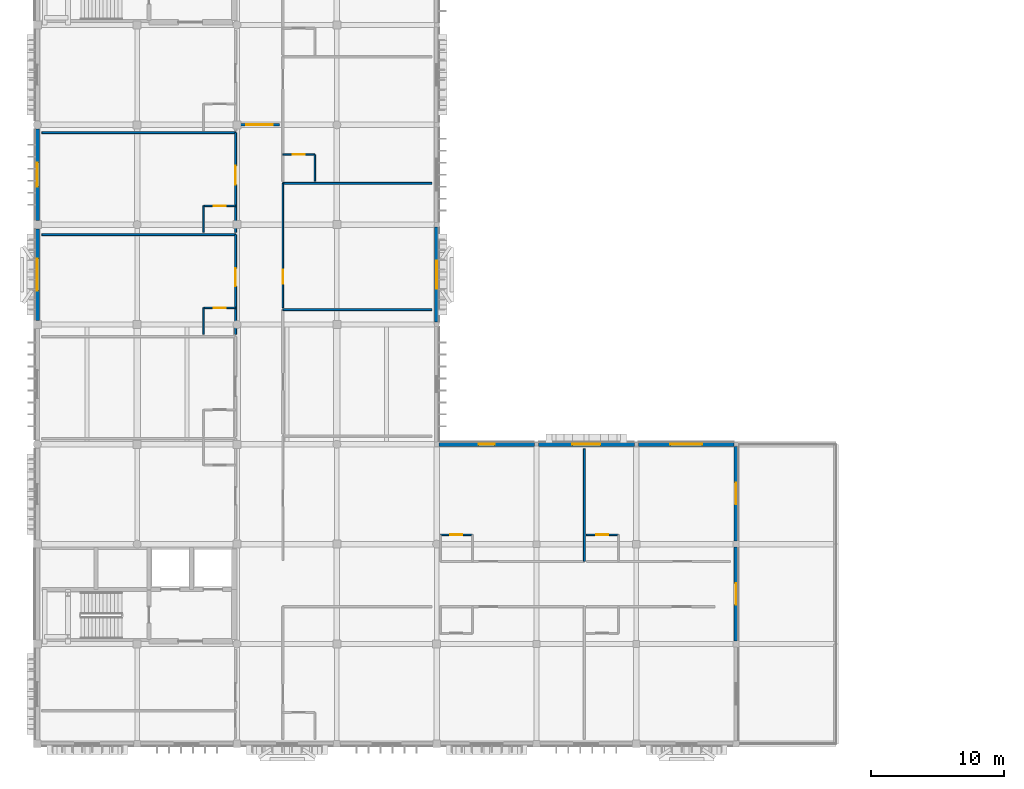
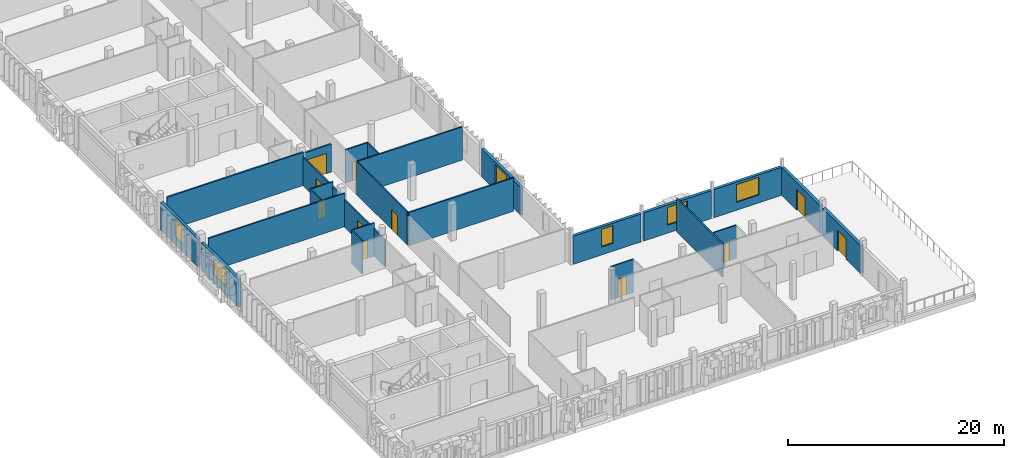
# One storey, part 12 of 33: 25 walls, 11 doors, 6 windows, 17 openings.
"""IFC4 building model written with IfcOpenShell, lengths in metres."""

from ifc_helpers import new_model, si_unit, direction, frame, frame_2d, origin, place, context, subcontext, project, spatial, rectangle, extrude, material, layer, layer_set, type_object, element, fill, save


model = new_model("IFC4")

# Units and contexts
model_context = context("Model", 3, precision=1e-05, world=origin(), true_north=direction((0.0, 1.0)))
body_context = subcontext(model_context, "Body", "Model", "MODEL_VIEW")
ifc_project = project(units=[si_unit("LENGTHUNIT", "METRE"), si_unit("AREAUNIT", "SQUARE_METRE"), si_unit("VOLUMEUNIT", "CUBIC_METRE"), si_unit("PLANEANGLEUNIT", "RADIAN"), si_unit("MASSUNIT", "GRAM", prefix="KILO")], contexts=[model_context])

# Site, building, storey
site_placement = place(None, origin())
site = spatial("IfcSite", under=ifc_project, at=site_placement, CompositionType="ELEMENT")
building_placement = place(site_placement, origin())
building = spatial("IfcBuilding", under=site, at=building_placement, Name="Dalvernix Boulevard General Hospital", CompositionType="ELEMENT")
storey_placement = place(building_placement, frame((0.0, 0.0, 21.89990234375)))
storey = spatial("IfcBuildingStorey", under=building, at=storey_placement, Name="L05", CompositionType="ELEMENT", Elevation=21.89990234375)

# Wall, opening, window
ifc_material_1 = material(Name="Pressed Catalan clay brick and ceramic spandrel wall C35/45", Category="masonry")
ifc_layer_1 = layer(ifc_material_1, 0.300048828125)
ifc_layer_set_1 = layer_set([ifc_layer_1], Name="Pressed Catalan clay brick and ceramic spandrel wall C35/45 (WAL-EW-02)")
wall_type_1 = type_object("IfcWallType", Name="WAL-EW-02", PredefinedType="STANDARD", material=ifc_layer_set_1)
wall_1_placement = place(storey_placement, frame((0.0, 31.81005859375, 0.0), z_axis=(0.0, 0.0, 1.0), x_axis=(0.0, 1.0, 0.0)))
wall_1 = element("IfcWall", 1, at=wall_1_placement, inside=storey, type_object=wall_type_1, Name="L05 Catalan brick external wall W 0-4", PredefinedType="STANDARD", context=body_context, shape_type="SweptSolid", body=[
    extrude(rectangle(XDim=6.8798828125, YDim=0.300048828125, at=frame_2d((3.43994140625, 0.0))), origin(), (0.0, 0.0, 1.0), 3.170166015625),
])
opening_1_placement = place(wall_1_placement, frame((2.239990234375, 0.0, 0.89990234375)))
opening_1 = element("IfcOpeningElement", 2, at=opening_1_placement, cuts=wall_1, Name="Opening WN-04", PredefinedType="OPENING", context=body_context, shape_type="SweptSolid", body=[
    extrude(rectangle(XDim=2.39990234375, YDim=1.989990234375, at=frame_2d((1.199951171875, 0.9951171875))), frame((0.0, 0.159912109375, 0.0), z_axis=(0.0, -1.0, 0.0), x_axis=(1.0, 0.0, 0.0)), (0.0, 0.0, 1.0), 0.320068359375),
])
ifc_material_2 = material(Name="Thermally broken aluminium frame with solar-control double glazing", Category="aluminium")
window_type_1 = type_object("IfcWindowType", Name="WIN-WN-04", PartitioningType="SINGLE_PANEL", PredefinedType="WINDOW", material=ifc_material_2)
window_1_placement = place(opening_1_placement, origin())
window_1 = element("IfcWindow", 3, at=window_1_placement, inside=storey, type_object=window_type_1, Name="L05 clinical window WN-04 W 0-4", OverallHeight=1.989990234375, OverallWidth=2.39990234375, PartitioningType="SINGLE_PANEL", PredefinedType="WINDOW", context=body_context, shape_type="SweptSolid", body=[
    extrude(rectangle(XDim=2.39990234375, YDim=1.989990234375, at=frame_2d((1.199951171875, 0.9951171875))), frame((0.0, 0.030029296875, 0.0), z_axis=(0.0, -1.0, 0.0), x_axis=(1.0, 0.0, 0.0)), (0.0, 0.0, 1.0), 0.06005859375),
])
fill(opening_1, window_1)

wall_2_placement = place(storey_placement, frame((0.0, 39.31005859375, 0.0), z_axis=(0.0, 0.0, 1.0), x_axis=(0.0, 1.0, 0.0)))
wall_2 = element("IfcWall", 4, at=wall_2_placement, inside=storey, type_object=wall_type_1, Name="L05 Catalan brick external wall W 0-5", PredefinedType="STANDARD", context=body_context, shape_type="SweptSolid", body=[
    extrude(rectangle(XDim=6.8798828125, YDim=0.300048828125, at=frame_2d((3.43994140625, 0.0))), origin(), (0.0, 0.0, 1.0), 3.170166015625),
])
opening_2_placement = place(wall_2_placement, frame((2.5400390625, 0.0, 0.89990234375)))
opening_2 = element("IfcOpeningElement", 5, at=opening_2_placement, cuts=wall_2, Name="Opening WN-05", PredefinedType="OPENING", context=body_context, shape_type="SweptSolid", body=[
    extrude(rectangle(XDim=1.800048828125, YDim=1.989990234375, at=frame_2d((0.89990234375, 0.9951171875))), frame((0.0, 0.159912109375, 0.0), z_axis=(0.0, -1.0, 0.0), x_axis=(1.0, 0.0, 0.0)), (0.0, 0.0, 1.0), 0.320068359375),
])
window_type_2 = type_object("IfcWindowType", Name="WIN-WN-05", PartitioningType="SINGLE_PANEL", PredefinedType="WINDOW", material=ifc_material_2)
window_2_placement = place(opening_2_placement, origin())
window_2 = element("IfcWindow", 6, at=window_2_placement, inside=storey, type_object=window_type_2, Name="L05 clinical window WN-05 W 0-5", OverallHeight=1.989990234375, OverallWidth=1.800048828125, PartitioningType="SINGLE_PANEL", PredefinedType="WINDOW", context=body_context, shape_type="SweptSolid", body=[
    extrude(rectangle(XDim=1.800048828125, YDim=1.989990234375, at=frame_2d((0.89990234375, 0.9951171875))), frame((0.0, 0.030029296875, 0.0), z_axis=(0.0, -1.0, 0.0), x_axis=(1.0, 0.0, 0.0)), (0.0, 0.0, 1.0), 0.06005859375),
])
fill(opening_2, window_2)

wall_3_placement = place(storey_placement, frame((30.0, 38.830078125, 0.0), z_axis=(0.0, 0.0, 1.0), x_axis=(0.0, -1.0, 0.0)))
wall_3 = element("IfcWall", 7, at=wall_3_placement, inside=storey, type_object=wall_type_1, Name="L05 Catalan brick external wall E 4-4", PredefinedType="STANDARD", context=body_context, shape_type="SweptSolid", body=[
    extrude(rectangle(XDim=7.16015625, YDim=0.300048828125, at=frame_2d((3.580078125, 0.0))), origin(), (0.0, 0.0, 1.0), 3.170166015625),
])
opening_3_placement = place(wall_3_placement, frame((2.530029296875, 0.0, 0.89990234375)))
opening_3 = element("IfcOpeningElement", 8, at=opening_3_placement, cuts=wall_3, Name="Opening WN-08", PredefinedType="OPENING", context=body_context, shape_type="SweptSolid", body=[
    extrude(rectangle(XDim=2.10009765625, YDim=1.989990234375, at=frame_2d((1.050048828125, 0.9951171875))), frame((0.0, 0.159912109375, 0.0), z_axis=(0.0, -1.0, 0.0), x_axis=(1.0, 0.0, 0.0)), (0.0, 0.0, 1.0), 0.320068359375),
])
window_type_3 = type_object("IfcWindowType", Name="WIN-WN-08", PartitioningType="SINGLE_PANEL", PredefinedType="WINDOW", material=ifc_material_2)
window_3_placement = place(opening_3_placement, origin())
window_3 = element("IfcWindow", 9, at=window_3_placement, inside=storey, type_object=window_type_3, Name="L05 clinical window WN-08 E 4-4", OverallHeight=1.989990234375, OverallWidth=2.10009765625, PartitioningType="SINGLE_PANEL", PredefinedType="WINDOW", context=body_context, shape_type="SweptSolid", body=[
    extrude(rectangle(XDim=2.10009765625, YDim=1.989990234375, at=frame_2d((1.050048828125, 0.9951171875))), frame((0.0, 0.030029296875, 0.0), z_axis=(0.0, -1.0, 0.0), x_axis=(1.0, 0.0, 0.0)), (0.0, 0.0, 1.0), 0.06005859375),
])
fill(opening_3, window_3)

wall_4_placement = place(storey_placement, frame((30.169921875, 22.5, 0.0), z_axis=(0.0, 0.0, 1.0), x_axis=(1.0, 0.0, 0.0)))
wall_4 = element("IfcWall", 10, at=wall_4_placement, inside=storey, type_object=wall_type_1, Name="L05 Catalan brick external wall N 4-3", PredefinedType="STANDARD", context=body_context, shape_type="SweptSolid", body=[
    extrude(rectangle(XDim=7.18017578125, YDim=0.300048828125, at=frame_2d((3.590087890625, 0.0))), origin(), (0.0, 0.0, 1.0), 3.170166015625),
])
opening_4_placement = place(wall_4_placement, frame((2.989990234375, 0.0, 0.89990234375)))
opening_4 = element("IfcOpeningElement", 11, at=opening_4_placement, cuts=wall_4, Name="Opening WN-07", PredefinedType="OPENING", context=body_context, shape_type="SweptSolid", body=[
    extrude(rectangle(XDim=1.199951171875, YDim=1.989990234375, at=frame_2d((0.60009765625, 0.9951171875))), frame((0.0, 0.159912109375, 0.0), z_axis=(0.0, -1.0, 0.0), x_axis=(1.0, 0.0, 0.0)), (0.0, 0.0, 1.0), 0.320068359375),
])
window_type_4 = type_object("IfcWindowType", Name="WIN-WN-07", PartitioningType="SINGLE_PANEL", PredefinedType="WINDOW", material=ifc_material_2)
window_4_placement = place(opening_4_placement, origin())
window_4 = element("IfcWindow", 12, at=window_4_placement, inside=storey, type_object=window_type_4, Name="L05 clinical window WN-07 N 4-3", OverallHeight=1.989990234375, OverallWidth=1.199951171875, PartitioningType="SINGLE_PANEL", PredefinedType="WINDOW", context=body_context, shape_type="SweptSolid", body=[
    extrude(rectangle(XDim=1.199951171875, YDim=1.989990234375, at=frame_2d((0.60009765625, 0.9951171875))), frame((0.0, 0.030029296875, 0.0), z_axis=(0.0, -1.0, 0.0), x_axis=(1.0, 0.0, 0.0)), (0.0, 0.0, 1.0), 0.06005859375),
])
fill(opening_4, window_4)

wall_5_placement = place(storey_placement, frame((37.64990234375, 22.5, 0.0), z_axis=(0.0, 0.0, 1.0), x_axis=(1.0, 0.0, 0.0)))
wall_5 = element("IfcWall", 13, at=wall_5_placement, inside=storey, type_object=wall_type_1, Name="L05 Catalan brick external wall N 5-3", PredefinedType="STANDARD", context=body_context, shape_type="SweptSolid", body=[
    extrude(rectangle(XDim=7.2001953125, YDim=0.300048828125, at=frame_2d((3.60009765625, 0.0))), origin(), (0.0, 0.0, 1.0), 3.170166015625),
])
opening_5_placement = place(wall_5_placement, frame((2.550048828125, 0.0, 0.89990234375)))
opening_5 = element("IfcOpeningElement", 14, at=opening_5_placement, cuts=wall_5, Name="Opening WN-08", PredefinedType="OPENING", context=body_context, shape_type="SweptSolid", body=[
    extrude(rectangle(XDim=2.10009765625, YDim=1.989990234375, at=frame_2d((1.050048828125, 0.9951171875))), frame((0.0, 0.159912109375, 0.0), z_axis=(0.0, -1.0, 0.0), x_axis=(1.0, 0.0, 0.0)), (0.0, 0.0, 1.0), 0.320068359375),
])
window_5_placement = place(opening_5_placement, origin())
window_5 = element("IfcWindow", 15, at=window_5_placement, inside=storey, type_object=window_type_3, Name="L05 clinical window WN-08 N 5-3", OverallHeight=1.989990234375, OverallWidth=2.10009765625, PartitioningType="SINGLE_PANEL", PredefinedType="WINDOW", context=body_context, shape_type="SweptSolid", body=[
    extrude(rectangle(XDim=2.10009765625, YDim=1.989990234375, at=frame_2d((1.050048828125, 0.9951171875))), frame((0.0, 0.030029296875, 0.0), z_axis=(0.0, -1.0, 0.0), x_axis=(1.0, 0.0, 0.0)), (0.0, 0.0, 1.0), 0.06005859375),
])
fill(opening_5, window_5)

# Wall, opening, door
wall_6_placement = place(storey_placement, frame((52.5, 14.764892578125, 0.0), z_axis=(0.0, 0.0, 1.0), x_axis=(0.0, -1.0, 0.0)))
wall_6 = element("IfcWall", 16, at=wall_6_placement, inside=storey, type_object=wall_type_1, Name="L05 Catalan brick external wall E 7-1", PredefinedType="STANDARD", context=body_context, shape_type="SweptSolid", body=[
    extrude(rectangle(XDim=7.02978515625, YDim=0.300048828125, at=frame_2d((3.514892578125, 0.0))), origin(), (0.0, 0.0, 1.0), 3.170166015625),
])
opening_6_placement = place(wall_6_placement, frame((2.715087890625, 0.0, 0.0)))
opening_6 = element("IfcOpeningElement", 17, at=opening_6_placement, cuts=wall_6, Name="Opening TD-16", PredefinedType="OPENING", context=body_context, shape_type="SweptSolid", body=[
    extrude(rectangle(XDim=1.60009765625, YDim=2.35009765625, at=frame_2d((0.800048828125, 1.175048828125))), frame((0.0, 0.159912109375, 0.0), z_axis=(0.0, -1.0, 0.0), x_axis=(1.0, 0.0, 0.0)), (0.0, 0.0, 1.0), 0.320068359375),
])
ifc_material_3 = material(Name="Powder-coated aluminium and laminated safety glass", Category="aluminium")
door_type_1 = type_object("IfcDoorType", Name="DR-TD-16", OperationType="DOUBLE_DOOR_SINGLE_SWING", PredefinedType="DOOR", material=ifc_material_3)
door_1_placement = place(opening_6_placement, origin())
door_1 = element("IfcDoor", 18, at=door_1_placement, inside=storey, type_object=door_type_1, Name="L05 ward terrace access door E 7-1", OperationType="DOUBLE_DOOR_SINGLE_SWING", OverallHeight=2.35009765625, OverallWidth=1.60009765625, PredefinedType="DOOR", context=body_context, shape_type="SweptSolid", body=[
    extrude(rectangle(XDim=1.60009765625, YDim=2.35009765625, at=frame_2d((0.800048828125, 1.175048828125))), frame((0.0, 0.02490234375, 0.0), z_axis=(0.0, -1.0, 0.0), x_axis=(1.0, 0.0, 0.0)), (0.0, 0.0, 1.0), 0.050048828125),
])
fill(opening_6, door_1)

# Wall, opening, window
wall_7_placement = place(storey_placement, frame((45.14990234375, 22.5, 0.0), z_axis=(0.0, 0.0, 1.0), x_axis=(1.0, 0.0, 0.0)))
wall_7 = element("IfcWall", 19, at=wall_7_placement, inside=storey, type_object=wall_type_1, Name="L05 Catalan brick external wall N 6-3", PredefinedType="STANDARD", context=body_context, shape_type="SweptSolid", body=[
    extrude(rectangle(XDim=7.2001953125, YDim=0.300048828125, at=frame_2d((3.60009765625, 0.0))), origin(), (0.0, 0.0, 1.0), 3.170166015625),
])
opening_7_placement = place(wall_7_placement, frame((2.39990234375, 0.0, 0.89990234375)))
opening_7 = element("IfcOpeningElement", 20, at=opening_7_placement, cuts=wall_7, Name="Opening WN-09", PredefinedType="OPENING", context=body_context, shape_type="SweptSolid", body=[
    extrude(rectangle(XDim=2.39990234375, YDim=1.989990234375, at=frame_2d((1.199951171875, 0.9951171875))), frame((0.0, 0.159912109375, 0.0), z_axis=(0.0, -1.0, 0.0), x_axis=(1.0, 0.0, 0.0)), (0.0, 0.0, 1.0), 0.320068359375),
])
window_type_5 = type_object("IfcWindowType", Name="WIN-WN-09", PartitioningType="SINGLE_PANEL", PredefinedType="WINDOW", material=ifc_material_2)
window_6_placement = place(opening_7_placement, origin())
window_6 = element("IfcWindow", 21, at=window_6_placement, inside=storey, type_object=window_type_5, Name="L05 clinical window WN-09 N 6-3", OverallHeight=1.989990234375, OverallWidth=2.39990234375, PartitioningType="SINGLE_PANEL", PredefinedType="WINDOW", context=body_context, shape_type="SweptSolid", body=[
    extrude(rectangle(XDim=2.39990234375, YDim=1.989990234375, at=frame_2d((1.199951171875, 0.9951171875))), frame((0.0, 0.030029296875, 0.0), z_axis=(0.0, -1.0, 0.0), x_axis=(1.0, 0.0, 0.0)), (0.0, 0.0, 1.0), 0.06005859375),
])
fill(opening_7, window_6)

# Wall, opening, door
wall_8_placement = place(storey_placement, frame((52.5, 22.35009765625, 0.0), z_axis=(0.0, 0.0, 1.0), x_axis=(0.0, -1.0, 0.0)))
wall_8 = element("IfcWall", 22, at=wall_8_placement, inside=storey, type_object=wall_type_1, Name="L05 Catalan brick external wall E 7-2", PredefinedType="STANDARD", context=body_context, shape_type="SweptSolid", body=[
    extrude(rectangle(XDim=7.114990234375, YDim=0.300048828125, at=frame_2d((3.5576171875, 0.0))), origin(), (0.0, 0.0, 1.0), 3.170166015625),
])
opening_8_placement = place(wall_8_placement, frame((2.757568359375, 0.0, 0.0)))
opening_8 = element("IfcOpeningElement", 23, at=opening_8_placement, cuts=wall_8, Name="Opening TD-16", PredefinedType="OPENING", context=body_context, shape_type="SweptSolid", body=[
    extrude(rectangle(XDim=1.60009765625, YDim=2.35009765625, at=frame_2d((0.800048828125, 1.175048828125))), frame((0.0, 0.159912109375, 0.0), z_axis=(0.0, -1.0, 0.0), x_axis=(1.0, 0.0, 0.0)), (0.0, 0.0, 1.0), 0.320068359375),
])
door_2_placement = place(opening_8_placement, origin())
door_2 = element("IfcDoor", 24, at=door_2_placement, inside=storey, type_object=door_type_1, Name="L05 ward terrace access door E 7-2", OperationType="DOUBLE_DOOR_SINGLE_SWING", OverallHeight=2.35009765625, OverallWidth=1.60009765625, PredefinedType="DOOR", context=body_context, shape_type="SweptSolid", body=[
    extrude(rectangle(XDim=1.60009765625, YDim=2.35009765625, at=frame_2d((0.800048828125, 1.175048828125))), frame((0.0, 0.02490234375, 0.0), z_axis=(0.0, -1.0, 0.0), x_axis=(1.0, 0.0, 0.0)), (0.0, 0.0, 1.0), 0.050048828125),
])
fill(opening_8, door_2)

ifc_material_4 = material(Name="Fire-compartment corridor masonry wall", Category="masonry")
ifc_layer_2 = layer(ifc_material_4, 0.199951171875)
ifc_layer_set_2 = layer_set([ifc_layer_2], Name="Fire-compartment corridor masonry wall (WAL-IW-02)")
wall_type_2 = type_object("IfcWallType", Name="WAL-IW-02", PredefinedType="STANDARD", material=ifc_layer_set_2)
wall_9_placement = place(storey_placement, frame((15.199951171875, 46.5, 0.0), z_axis=(0.0, 0.0, 1.0), x_axis=(1.0, 0.0, 0.0)))
wall_9 = element("IfcWall", 25, at=wall_9_placement, inside=storey, type_object=wall_type_2, Name="L05 horizontal progressive evacuation compartment wall 6", PredefinedType="STANDARD", context=body_context, shape_type="SweptSolid", body=[
    extrude(rectangle(XDim=3.0, YDim=0.199951171875, at=frame_2d((1.5, 0.0))), origin(), (0.0, 0.0, 1.0), 3.155029296875),
])
opening_9_placement = place(wall_9_placement, frame((0.5, 0.0, 0.0)))
opening_9 = element("IfcOpeningElement", 26, at=opening_9_placement, cuts=wall_9, Name="Opening FD-03", PredefinedType="OPENING", context=body_context, shape_type="SweptSolid", body=[
    extrude(rectangle(XDim=2.0, YDim=2.300048828125, at=frame_2d((1.0, 1.14990234375))), frame((0.0, 0.10986328125, 0.0), z_axis=(0.0, -1.0, 0.0), x_axis=(1.0, 0.0, 0.0)), (0.0, 0.0, 1.0), 0.219970703125),
])
ifc_material_5 = material(Name="Hospital laminate acoustic timber and steel frame", Category="steel")
door_type_2 = type_object("IfcDoorType", Name="DR-FD-03", OperationType="DOUBLE_DOOR_SINGLE_SWING", PredefinedType="DOOR", material=ifc_material_5)
door_3_placement = place(opening_9_placement, origin())
door_3 = element("IfcDoor", 27, at=door_3_placement, inside=storey, type_object=door_type_2, Name="L05 horizontal compartment hold-open fire door 6", OperationType="DOUBLE_DOOR_SINGLE_SWING", OverallHeight=2.300048828125, OverallWidth=2.0, PredefinedType="DOOR", context=body_context, shape_type="SweptSolid", body=[
    extrude(rectangle(XDim=2.0, YDim=2.300048828125, at=frame_2d((1.0, 1.14990234375))), frame((0.0, 0.02490234375, 0.0), z_axis=(0.0, -1.0, 0.0), x_axis=(1.0, 0.0, 0.0)), (0.0, 0.0, 1.0), 0.050048828125),
])
fill(opening_9, door_3)

ifc_material_6 = material(Name="Acoustic double-stud gypsum inpatient partition")
ifc_layer_3 = layer(ifc_material_6, 0.14990234375)
ifc_layer_set_3 = layer_set([ifc_layer_3], Name="Acoustic double-stud gypsum inpatient partition (WAL-IW-04)")
wall_type_3 = type_object("IfcWallType", Name="WAL-IW-04", PredefinedType="PARTITIONING", material=ifc_layer_set_3)
wall_10_placement = place(storey_placement, frame((14.89990234375, 30.75, 0.0), z_axis=(0.0, 0.0, 1.0), x_axis=(0.0, 1.0, 0.0)))
wall_10 = element("IfcWall", 28, at=wall_10_placement, inside=storey, type_object=wall_type_3, Name="L05 Orthopaedic Single Patient Room L05-W04 corridor wall", PredefinedType="PARTITIONING", context=body_context, shape_type="SweptSolid", body=[
    extrude(rectangle(XDim=7.5, YDim=0.14990234375, at=frame_2d((3.75, 0.0))), origin(), (0.0, 0.0, 1.0), 3.05517578125),
])
opening_10_placement = place(wall_10_placement, frame((3.639892578125, 0.0, 0.0)))
opening_10 = element("IfcOpeningElement", 29, at=opening_10_placement, cuts=wall_10, Name="Opening ID-01", PredefinedType="OPENING", context=body_context, shape_type="SweptSolid", body=[
    extrude(rectangle(XDim=1.35009765625, YDim=2.25, at=frame_2d((0.675048828125, 1.125))), frame((0.0, 0.0849609375, 0.0), z_axis=(0.0, -1.0, 0.0), x_axis=(1.0, 0.0, 0.0)), (0.0, 0.0, 1.0), 0.169921875),
])
door_type_3 = type_object("IfcDoorType", Name="DR-ID-01", OperationType="NOTDEFINED", PredefinedType="DOOR", material=ifc_material_5)
door_4_placement = place(opening_10_placement, origin())
door_4 = element("IfcDoor", 30, at=door_4_placement, inside=storey, type_object=door_type_3, Name="L05 Orthopaedic Single Patient Room L05-W04 door", OperationType="SINGLE_SWING_RIGHT", OverallHeight=2.25, OverallWidth=1.35009765625, PredefinedType="DOOR", context=body_context, shape_type="SweptSolid", body=[
    extrude(rectangle(XDim=1.35009765625, YDim=2.25, at=frame_2d((0.675048828125, 1.125))), frame((0.0, 0.02490234375, 0.0), z_axis=(0.0, -1.0, 0.0), x_axis=(1.0, 0.0, 0.0)), (0.0, 0.0, 1.0), 0.050048828125),
])
fill(opening_10, door_4)

wall_11_placement = place(storey_placement, frame((14.89990234375, 38.409912109375, 0.0), z_axis=(0.0, 0.0, 1.0), x_axis=(0.0, 1.0, 0.0)))
wall_11 = element("IfcWall", 31, at=wall_11_placement, inside=storey, type_object=wall_type_3, Name="L05 Four Bed Surgical Recovery Ward L05-W05 corridor wall", PredefinedType="PARTITIONING", context=body_context, shape_type="SweptSolid", body=[
    extrude(rectangle(XDim=7.5, YDim=0.14990234375, at=frame_2d((3.75, 0.0))), origin(), (0.0, 0.0, 1.0), 3.205078125),
])
opening_11_placement = place(wall_11_placement, frame((3.580078125, 0.0, 0.0)))
opening_11 = element("IfcOpeningElement", 32, at=opening_11_placement, cuts=wall_11, Name="Opening ID-02", PredefinedType="OPENING", context=body_context, shape_type="SweptSolid", body=[
    extrude(rectangle(XDim=1.449951171875, YDim=2.300048828125, at=frame_2d((0.72509765625, 1.14990234375))), frame((0.0, 0.0849609375, 0.0), z_axis=(0.0, -1.0, 0.0), x_axis=(1.0, 0.0, 0.0)), (0.0, 0.0, 1.0), 0.169921875),
])
door_type_4 = type_object("IfcDoorType", Name="DR-ID-02", OperationType="NOTDEFINED", PredefinedType="DOOR", material=ifc_material_5)
door_5_placement = place(opening_11_placement, origin())
door_5 = element("IfcDoor", 33, at=door_5_placement, inside=storey, type_object=door_type_4, Name="L05 Four Bed Surgical Recovery Ward L05-W05 door", OperationType="SINGLE_SWING_RIGHT", OverallHeight=2.300048828125, OverallWidth=1.449951171875, PredefinedType="DOOR", context=body_context, shape_type="SweptSolid", body=[
    extrude(rectangle(XDim=1.449951171875, YDim=2.300048828125, at=frame_2d((0.72509765625, 1.14990234375))), frame((0.0, 0.02490234375, 0.0), z_axis=(0.0, -1.0, 0.0), x_axis=(1.0, 0.0, 0.0)), (0.0, 0.0, 1.0), 0.050048828125),
])
fill(opening_11, door_5)

# Walls
for number, where, z_axis, x_axis, name in (
    (34, (0.35009765625, 38.25, 0.0), (0.0, 0.0, 1.0), (1.0, 0.0, 0.0), "L05 Orthopaedic Single Patient Room L05-W04 partition"),
    (35, (0.35009765625, 45.909912109375, 0.0), (0.0, 0.0, 1.0), (1.0, 0.0, 0.0), "L05 Four Bed Surgical Recovery Ward L05-W05 partition"),
):
    element("IfcWall", number, at=place(storey_placement, frame(where, z_axis=z_axis, x_axis=x_axis)), inside=storey, type_object=wall_type_3, Name=name, PredefinedType="PARTITIONING", context=body_context, shape_type="SweptSolid", body=[
        extrude(rectangle(XDim=14.5498046875, YDim=0.14990234375, at=frame_2d((7.27490234375, 0.0))), origin(), (0.0, 0.0, 1.0), 3.755126953125),
    ])
for number, where, z_axis, x_axis, name in (
    (36, (18.449951171875, 32.607421875, 0.0), (0.0, 0.0, 1.0), (1.0, 0.0, 0.0), "L05 Clinical Treatment and Procedure Room L05 partition"),
    (37, (18.449951171875, 42.101318359375, 0.0), (0.0, 0.0, 1.0), (1.0, 0.0, 0.0), "L05 Patient and Family Day Lounge L05 partition"),
):
    element("IfcWall", number, at=place(storey_placement, frame(where, z_axis=z_axis, x_axis=x_axis)), inside=storey, type_object=wall_type_3, Name=name, PredefinedType="PARTITIONING", context=body_context, shape_type="SweptSolid", body=[
        extrude(rectangle(XDim=11.199951171875, YDim=0.14990234375, at=frame_2d((5.60009765625, 0.0))), origin(), (0.0, 0.0, 1.0), 3.755126953125),
    ])
wall_12_placement = place(storey_placement, frame((41.094970703125, 13.699951171875, 0.0), z_axis=(0.0, 0.0, 1.0), x_axis=(0.0, 1.0, 0.0)))
element("IfcWall", 38, at=wall_12_placement, inside=storey, type_object=wall_type_3, Name="L05 Isolation Patient Room L05-N1 partition", PredefinedType="PARTITIONING", context=body_context, shape_type="SweptSolid", body=[
    extrude(rectangle(XDim=8.449951171875, YDim=0.14990234375, at=frame_2d((4.22509765625, 0.0))), origin(), (0.0, 0.0, 1.0), 3.755126953125),
])

# Wall, opening, door
ifc_material_7 = material(Name="Moisture-resistant en-suite bathroom partition")
ifc_layer_4 = layer(ifc_material_7, 0.1201171875)
ifc_layer_set_4 = layer_set([ifc_layer_4], Name="Moisture-resistant en-suite bathroom partition (WAL-IW-05)")
wall_type_4 = type_object("IfcWallType", Name="WAL-IW-05", PredefinedType="PARTITIONING", material=ifc_layer_set_4)
wall_13_placement = place(storey_placement, frame((14.89990234375, 32.75, 0.0), z_axis=(0.0, 0.0, 1.0), x_axis=(-1.0, 0.0, 0.0)))
wall_13 = element("IfcWall", 39, at=wall_13_placement, inside=storey, type_object=wall_type_4, Name="L05 en-suite bathroom door wall", PredefinedType="PARTITIONING", context=body_context, shape_type="SweptSolid", body=[
    extrude(rectangle(XDim=2.39990234375, YDim=0.1201171875, at=frame_2d((1.199951171875, 0.0))), origin(), (0.0, 0.0, 1.0), 3.755126953125),
])
opening_12_placement = place(wall_13_placement, frame((0.75, 0.0, 0.0)))
opening_12 = element("IfcOpeningElement", 40, at=opening_12_placement, cuts=wall_13, Name="Opening ID-05", PredefinedType="OPENING", context=body_context, shape_type="SweptSolid", body=[
    extrude(rectangle(XDim=0.89990234375, YDim=2.10009765625, at=frame_2d((0.449951171875, 1.050048828125))), frame((0.0, 0.070068359375, 0.0), z_axis=(0.0, -1.0, 0.0), x_axis=(1.0, 0.0, 0.0)), (0.0, 0.0, 1.0), 0.14013671875),
])
door_type_5 = type_object("IfcDoorType", Name="DR-ID-05", OperationType="NOTDEFINED", PredefinedType="DOOR", material=ifc_material_5)
door_6_placement = place(opening_12_placement, origin())
door_6 = element("IfcDoor", 41, at=door_6_placement, inside=storey, type_object=door_type_5, Name="L05 L05-WRD-W04 en-suite bathroom door", OperationType="SINGLE_SWING_LEFT", OverallHeight=2.10009765625, OverallWidth=0.89990234375, PredefinedType="DOOR", context=body_context, shape_type="SweptSolid", body=[
    extrude(rectangle(XDim=0.89990234375, YDim=2.10009765625, at=frame_2d((0.449951171875, 1.050048828125))), frame((0.0, 0.02490234375, 0.0), z_axis=(0.0, -1.0, 0.0), x_axis=(1.0, 0.0, 0.0)), (0.0, 0.0, 1.0), 0.050048828125),
])
fill(opening_12, door_6)

# Wall
wall_14_placement = place(storey_placement, frame((12.5, 30.75, 0.0), z_axis=(0.0, 0.0, 1.0), x_axis=(0.0, 1.0, 0.0)))
element("IfcWall", 42, at=wall_14_placement, inside=storey, type_object=wall_type_4, Name="L05 en-suite bathroom side wall", PredefinedType="PARTITIONING", context=body_context, shape_type="SweptSolid", body=[
    extrude(rectangle(XDim=2.0, YDim=0.1201171875, at=frame_2d((1.0, 0.0))), origin(), (0.0, 0.0, 1.0), 3.755126953125),
])

# Wall, opening, door
wall_15_placement = place(storey_placement, frame((14.89990234375, 40.409912109375, 0.0), z_axis=(0.0, 0.0, 1.0), x_axis=(-1.0, 0.0, 0.0)))
wall_15 = element("IfcWall", 43, at=wall_15_placement, inside=storey, type_object=wall_type_4, Name="L05 en-suite bathroom door wall", PredefinedType="PARTITIONING", context=body_context, shape_type="SweptSolid", body=[
    extrude(rectangle(XDim=2.39990234375, YDim=0.1201171875, at=frame_2d((1.199951171875, 0.0))), origin(), (0.0, 0.0, 1.0), 3.755126953125),
])
opening_13_placement = place(wall_15_placement, frame((0.75, 0.0, 0.0)))
opening_13 = element("IfcOpeningElement", 44, at=opening_13_placement, cuts=wall_15, Name="Opening ID-05", PredefinedType="OPENING", context=body_context, shape_type="SweptSolid", body=[
    extrude(rectangle(XDim=0.89990234375, YDim=2.10009765625, at=frame_2d((0.449951171875, 1.050048828125))), frame((0.0, 0.070068359375, 0.0), z_axis=(0.0, -1.0, 0.0), x_axis=(1.0, 0.0, 0.0)), (0.0, 0.0, 1.0), 0.14013671875),
])
door_7_placement = place(opening_13_placement, origin())
door_7 = element("IfcDoor", 45, at=door_7_placement, inside=storey, type_object=door_type_5, Name="L05 L05-WRD-W05 en-suite bathroom door", OperationType="SINGLE_SWING_LEFT", OverallHeight=2.10009765625, OverallWidth=0.89990234375, PredefinedType="DOOR", context=body_context, shape_type="SweptSolid", body=[
    extrude(rectangle(XDim=0.89990234375, YDim=2.10009765625, at=frame_2d((0.449951171875, 1.050048828125))), frame((0.0, 0.02490234375, 0.0), z_axis=(0.0, -1.0, 0.0), x_axis=(1.0, 0.0, 0.0)), (0.0, 0.0, 1.0), 0.050048828125),
])
fill(opening_13, door_7)

# Wall
wall_16_placement = place(storey_placement, frame((12.5, 38.409912109375, 0.0), z_axis=(0.0, 0.0, 1.0), x_axis=(0.0, 1.0, 0.0)))
element("IfcWall", 46, at=wall_16_placement, inside=storey, type_object=wall_type_4, Name="L05 en-suite bathroom side wall", PredefinedType="PARTITIONING", context=body_context, shape_type="SweptSolid", body=[
    extrude(rectangle(XDim=2.0, YDim=0.1201171875, at=frame_2d((1.0, 0.0))), origin(), (0.0, 0.0, 1.0), 3.755126953125),
])

# Wall, opening, door
wall_17_placement = place(storey_placement, frame((20.85009765625, 44.26123046875, 0.0), z_axis=(0.0, 0.0, 1.0), x_axis=(-1.0, 0.0, 0.0)))
wall_17 = element("IfcWall", 47, at=wall_17_placement, inside=storey, type_object=wall_type_4, Name="L05 en-suite bathroom door wall", PredefinedType="PARTITIONING", context=body_context, shape_type="SweptSolid", body=[
    extrude(rectangle(XDim=2.400146484375, YDim=0.1201171875, at=frame_2d((1.2001953125, 0.0))), origin(), (0.0, 0.0, 1.0), 3.755126953125),
])
opening_14_placement = place(wall_17_placement, frame((0.75, 0.0, 0.0)))
opening_14 = element("IfcOpeningElement", 48, at=opening_14_placement, cuts=wall_17, Name="Opening ID-05", PredefinedType="OPENING", context=body_context, shape_type="SweptSolid", body=[
    extrude(rectangle(XDim=0.89990234375, YDim=2.10009765625, at=frame_2d((0.449951171875, 1.050048828125))), frame((0.0, 0.070068359375, 0.0), z_axis=(0.0, -1.0, 0.0), x_axis=(1.0, 0.0, 0.0)), (0.0, 0.0, 1.0), 0.14013671875),
])
door_8_placement = place(opening_14_placement, origin())
door_8 = element("IfcDoor", 49, at=door_8_placement, inside=storey, type_object=door_type_5, Name="L05 L05-RM-E03 en-suite bathroom door", OperationType="SINGLE_SWING_RIGHT", OverallHeight=2.10009765625, OverallWidth=0.89990234375, PredefinedType="DOOR", context=body_context, shape_type="SweptSolid", body=[
    extrude(rectangle(XDim=0.89990234375, YDim=2.10009765625, at=frame_2d((0.449951171875, 1.050048828125))), frame((0.0, 0.02490234375, 0.0), z_axis=(0.0, -1.0, 0.0), x_axis=(1.0, 0.0, 0.0)), (0.0, 0.0, 1.0), 0.050048828125),
])
fill(opening_14, door_8)

# Wall
wall_18_placement = place(storey_placement, frame((20.85009765625, 42.26123046875, 0.0), z_axis=(0.0, 0.0, 1.0), x_axis=(0.0, 1.0, 0.0)))
element("IfcWall", 50, at=wall_18_placement, inside=storey, type_object=wall_type_4, Name="L05 en-suite bathroom side wall", PredefinedType="PARTITIONING", context=body_context, shape_type="SweptSolid", body=[
    extrude(rectangle(XDim=2.0, YDim=0.1201171875, at=frame_2d((1.0, 0.0))), origin(), (0.0, 0.0, 1.0), 3.755126953125),
])

# Wall, opening, door
wall_19_placement = place(storey_placement, frame((32.679931640625, 15.699951171875, 0.0), z_axis=(0.0, 0.0, 1.0), x_axis=(-1.0, 0.0, 0.0)))
wall_19 = element("IfcWall", 51, at=wall_19_placement, inside=storey, type_object=wall_type_4, Name="L05 en-suite bathroom door wall", PredefinedType="PARTITIONING", context=body_context, shape_type="SweptSolid", body=[
    extrude(rectangle(XDim=2.39990234375, YDim=0.1201171875, at=frame_2d((1.199951171875, 0.0))), origin(), (0.0, 0.0, 1.0), 3.755126953125),
])
opening_15_placement = place(wall_19_placement, frame((0.75, 0.0, 0.0)))
opening_15 = element("IfcOpeningElement", 52, at=opening_15_placement, cuts=wall_19, Name="Opening ID-05", PredefinedType="OPENING", context=body_context, shape_type="SweptSolid", body=[
    extrude(rectangle(XDim=0.89990234375, YDim=2.10009765625, at=frame_2d((0.449951171875, 1.050048828125))), frame((0.0, 0.070068359375, 0.0), z_axis=(0.0, -1.0, 0.0), x_axis=(1.0, 0.0, 0.0)), (0.0, 0.0, 1.0), 0.14013671875),
])
door_9_placement = place(opening_15_placement, origin())
door_9 = element("IfcDoor", 53, at=door_9_placement, inside=storey, type_object=door_type_5, Name="L05 L05-SW-N1 en-suite bathroom door", OperationType="SINGLE_SWING_LEFT", OverallHeight=2.10009765625, OverallWidth=0.89990234375, PredefinedType="DOOR", context=body_context, shape_type="SweptSolid", body=[
    extrude(rectangle(XDim=0.89990234375, YDim=2.10009765625, at=frame_2d((0.449951171875, 1.050048828125))), frame((0.0, 0.02490234375, 0.0), z_axis=(0.0, -1.0, 0.0), x_axis=(1.0, 0.0, 0.0)), (0.0, 0.0, 1.0), 0.050048828125),
])
fill(opening_15, door_9)

wall_20_placement = place(storey_placement, frame((43.655029296875, 15.699951171875, 0.0), z_axis=(0.0, 0.0, 1.0), x_axis=(-1.0, 0.0, 0.0)))
wall_20 = element("IfcWall", 54, at=wall_20_placement, inside=storey, type_object=wall_type_4, Name="L05 en-suite bathroom door wall", PredefinedType="PARTITIONING", context=body_context, shape_type="SweptSolid", body=[
    extrude(rectangle(XDim=2.400146484375, YDim=0.1201171875, at=frame_2d((1.2001953125, 0.0))), origin(), (0.0, 0.0, 1.0), 3.755126953125),
])
opening_16_placement = place(wall_20_placement, frame((0.75, 0.0, 0.0)))
opening_16 = element("IfcOpeningElement", 55, at=opening_16_placement, cuts=wall_20, Name="Opening ID-05", PredefinedType="OPENING", context=body_context, shape_type="SweptSolid", body=[
    extrude(rectangle(XDim=0.89990234375, YDim=2.10009765625, at=frame_2d((0.449951171875, 1.050048828125))), frame((0.0, 0.070068359375, 0.0), z_axis=(0.0, -1.0, 0.0), x_axis=(1.0, 0.0, 0.0)), (0.0, 0.0, 1.0), 0.14013671875),
])
door_10_placement = place(opening_16_placement, origin())
door_10 = element("IfcDoor", 56, at=door_10_placement, inside=storey, type_object=door_type_5, Name="L05 L05-SW-N2 en-suite bathroom door", OperationType="SINGLE_SWING_LEFT", OverallHeight=2.10009765625, OverallWidth=0.89990234375, PredefinedType="DOOR", context=body_context, shape_type="SweptSolid", body=[
    extrude(rectangle(XDim=0.89990234375, YDim=2.10009765625, at=frame_2d((0.449951171875, 1.050048828125))), frame((0.0, 0.02490234375, 0.0), z_axis=(0.0, -1.0, 0.0), x_axis=(1.0, 0.0, 0.0)), (0.0, 0.0, 1.0), 0.050048828125),
])
fill(opening_16, door_10)

ifc_material_8 = material(Name="Fire-resisting clinical sub-partition")
ifc_layer_5 = layer(ifc_material_8, 0.10009765625)
ifc_layer_set_5 = layer_set([ifc_layer_5], Name="Fire-resisting clinical sub-partition (WAL-IW-06)")
wall_type_5 = type_object("IfcWallType", Name="WAL-IW-06", PredefinedType="PARTITIONING", material=ifc_layer_set_5)
wall_21_placement = place(storey_placement, frame((18.449951171875, 42.101318359375, 0.0), z_axis=(0.0, 0.0, 1.0), x_axis=(0.0, -1.0, 0.0)))
wall_21 = element("IfcWall", 57, at=wall_21_placement, inside=storey, type_object=wall_type_5, Name="L05 Patient and Family Day Lounge L05 corridor wall", PredefinedType="PARTITIONING", context=body_context, shape_type="SweptSolid", body=[
    extrude(rectangle(XDim=9.333740234375, YDim=0.10009765625, at=frame_2d((4.6669921875, 0.0))), origin(), (0.0, 0.0, 1.0), 3.755126953125),
])
opening_17_placement = place(wall_21_placement, frame((6.47705078125, 0.0, 0.0)))
opening_17 = element("IfcOpeningElement", 58, at=opening_17_placement, cuts=wall_21, Name="Opening ID-07", PredefinedType="OPENING", context=body_context, shape_type="SweptSolid", body=[
    extrude(rectangle(XDim=1.050048828125, YDim=2.199951171875, at=frame_2d((0.52490234375, 1.10009765625))), frame((0.0, 0.06005859375, 0.0), z_axis=(0.0, -1.0, 0.0), x_axis=(1.0, 0.0, 0.0)), (0.0, 0.0, 1.0), 0.1201171875),
])
door_type_6 = type_object("IfcDoorType", Name="DR-ID-07", OperationType="NOTDEFINED", PredefinedType="DOOR", material=ifc_material_5)
door_11_placement = place(opening_17_placement, origin())
door_11 = element("IfcDoor", 59, at=door_11_placement, inside=storey, type_object=door_type_6, Name="L05 Patient and Family Day Lounge L05 door", OperationType="SINGLE_SWING_RIGHT", OverallHeight=2.199951171875, OverallWidth=1.050048828125, PredefinedType="DOOR", context=body_context, shape_type="SweptSolid", body=[
    extrude(rectangle(XDim=1.050048828125, YDim=2.199951171875, at=frame_2d((0.52490234375, 1.10009765625))), frame((0.0, 0.02490234375, 0.0), z_axis=(0.0, -1.0, 0.0), x_axis=(1.0, 0.0, 0.0)), (0.0, 0.0, 1.0), 0.050048828125),
])
fill(opening_17, door_11)

save(model, "model.ifc")
